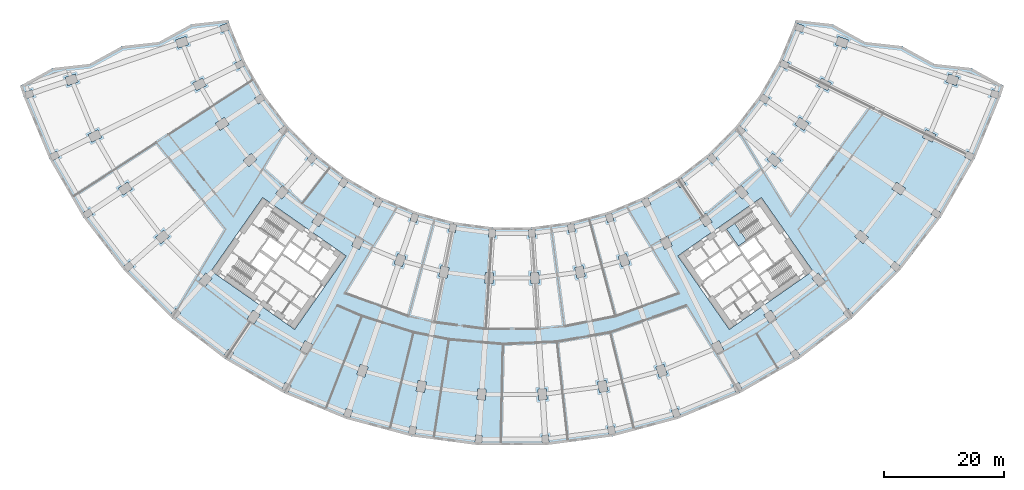
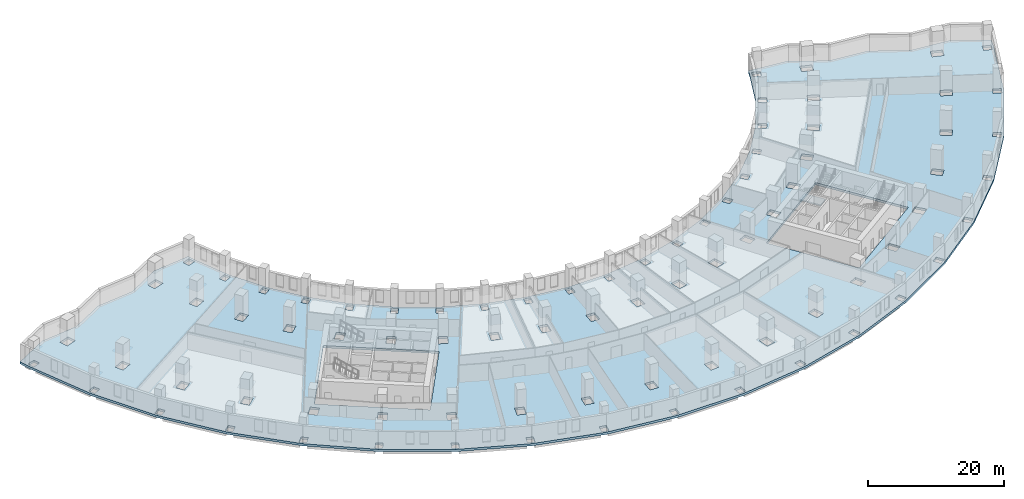
# One storey, part 4 of 20: 2 slabs, 1 element without a shape of its own.
"""IFC4 building model written with IfcOpenShell, lengths in metres."""

from ifc_helpers import new_model, si_unit, direction, frame, origin, place, context, subcontext, project, spatial, polyline, outline, extrude, material, layer, layer_set, type_object, element, aggregate, save


model = new_model("IFC4")

# Units and contexts
model_context = context("Model", 3, precision=1e-05, world=origin(), true_north=direction((0.0, 1.0)))
body_context = subcontext(model_context, "Body", "Model", "MODEL_VIEW")
ifc_project = project(units=[si_unit("LENGTHUNIT", "METRE"), si_unit("AREAUNIT", "SQUARE_METRE"), si_unit("VOLUMEUNIT", "CUBIC_METRE"), si_unit("PLANEANGLEUNIT", "RADIAN"), si_unit("MASSUNIT", "GRAM", prefix="KILO")], contexts=[model_context])

# Site, building, storey
site_placement = place(None, origin())
site = spatial("IfcSite", under=ifc_project, at=site_placement, CompositionType="ELEMENT")
building_placement = place(site_placement, origin())
building = spatial("IfcBuilding", under=site, at=building_placement, Name="Qamariyya Broadcast Tower", CompositionType="ELEMENT")
storey_placement = place(building_placement, frame((0.0, 0.0, 31.5)))
storey = spatial("IfcBuildingStorey", under=building, at=storey_placement, Name="L04", CompositionType="ELEMENT", Elevation=31.5)

# Slab
ifc_material_1 = material(Name="Concrete C40/50", Category="concrete")
ifc_layer_1 = layer(ifc_material_1, 0.39990234375)
ifc_layer_set_1 = layer_set([ifc_layer_1], Name="Post-tensioned floor slab 400 C40/50")
slab_type_1 = type_object("IfcSlabType", Name="Post-tensioned floor slab 400 C40/50", PredefinedType="FLOOR", material=ifc_layer_set_1)
slab_1_placement = place(storey_placement, frame((0.0, 0.0, -0.39990234375)))
element("IfcSlab", 1, at=slab_1_placement, inside=storey, type_object=slab_type_1, Name="Floor slab S3 L04", PredefinedType="FLOOR", context=body_context, shape_type="SweptSolid", body=[
    extrude(outline(polyline([(-76.78857421875, -23.0263671875), (-82.2353515625, -26.007568359375), (-81.672607421875, -27.72412109375), (-77.355224609375, -38.1474609375), (-71.71435546875, -47.91796875), (-64.84619140625, -56.86865234375), (-56.86865234375, -64.84619140625), (-47.91796875, -71.71435546875), (-38.1474609375, -77.355224609375), (-27.72412109375, -81.672607421875), (-16.82666015625, -84.5927734375), (-5.64111328125, -86.0654296875), (5.64111328125, -86.0654296875), (16.82666015625, -84.5927734375), (27.72412109375, -81.672607421875), (38.1474609375, -77.355224609375), (47.91796875, -71.71435546875), (56.86865234375, -64.84619140625), (64.84619140625, -56.86865234375), (71.71435546875, -47.91796875), (77.355224609375, -38.1474609375), (81.672607421875, -27.72412109375), (82.2353515625, -26.007568359375), (76.78857421875, -23.0263671875), (70.635009765625, -22.3388671875), (65.1865234375, -19.357421875), (59.03466796875, -18.670166015625), (53.583984375, -15.68798828125), (47.434326171875, -15.00146484375), (47.10986328125, -15.99169921875), (44.619384765625, -22.00390625), (41.36572265625, -27.6396484375), (37.404052734375, -32.802490234375), (32.802490234375, -37.404052734375), (27.6396484375, -41.36572265625), (22.00390625, -44.619384765625), (15.99169921875, -47.10986328125), (9.705810546875, -48.794189453125), (3.25390625, -49.6435546875), (-3.25390625, -49.6435546875), (-9.705810546875, -48.794189453125), (-15.99169921875, -47.10986328125), (-22.00390625, -44.619384765625), (-27.6396484375, -41.36572265625), (-32.802490234375, -37.404052734375), (-37.404052734375, -32.802490234375), (-41.36572265625, -27.6396484375), (-44.619384765625, -22.00390625), (-47.10986328125, -15.99169921875), (-47.434326171875, -15.00146484375), (-53.583984375, -15.68798828125), (-59.03466796875, -18.670166015625), (-65.1865234375, -19.357421875), (-70.635009765625, -22.3388671875), (-76.78857421875, -23.0263671875)]), holes=[polyline([(-27.714599609375, -79.93359375), (-26.6728515625, -80.287109375), (-27.0908203125, -81.51806640625), (-28.132568359375, -81.16455078125), (-27.714599609375, -79.93359375)]), polyline([(-37.910888671875, -75.632080078125), (-36.92431640625, -76.11865234375), (-37.499267578125, -77.28466796875), (-38.48583984375, -76.798095703125), (-37.910888671875, -75.632080078125)]), polyline([(-47.45849609375, -70.036865234375), (-46.5439453125, -70.64794921875), (-47.26611328125, -71.728759765625), (-48.180908203125, -71.11767578125), (-47.45849609375, -70.036865234375)]), polyline([(-33.362060546875, -69.234375), (-34.158203125, -70.8486328125), (-35.413818359375, -70.2294921875), (-34.61767578125, -68.614990234375), (-33.362060546875, -69.234375)]), polyline([(-42.113525390625, -64.287353515625), (-43.113525390625, -65.783935546875), (-44.277587890625, -65.006103515625), (-43.277587890625, -63.509521484375), (-42.113525390625, -64.287353515625)]), polyline([(-56.194091796875, -63.242919921875), (-55.3671875, -63.96826171875), (-56.224365234375, -64.94580078125), (-57.05126953125, -64.220458984375), (-56.194091796875, -63.242919921875)]), polyline([(-51.197021484375, -57.3173828125), (-50.14453125, -58.240478515625), (-51.331298828125, -59.59375), (-52.3837890625, -58.670654296875), (-51.197021484375, -57.3173828125)]), polyline([(-63.96826171875, -55.3671875), (-63.242919921875, -56.194091796875), (-64.220458984375, -57.05126953125), (-64.94580078125, -56.224365234375), (-63.96826171875, -55.3671875)]), polyline([(-27.719970703125, -54.447021484375), (-36.32373046875, -66.734375), (-50.286376953125, -56.95751953125), (-41.6826171875, -44.67041015625), (-27.719970703125, -54.447021484375)]), polyline([(-57.3173828125, -51.197021484375), (-58.670654296875, -52.3837890625), (-59.59375, -51.331298828125), (-58.240478515625, -50.14453125), (-57.3173828125, -51.197021484375)]), polyline([(-32.444091796875, -47.2958984375), (-31.280029296875, -48.07373046875), (-32.280029296875, -49.5703125), (-33.444091796875, -48.79248046875), (-32.444091796875, -47.2958984375)]), polyline([(-70.64794921875, -46.5439453125), (-70.036865234375, -47.45849609375), (-71.11767578125, -48.180908203125), (-71.728759765625, -47.26611328125), (-70.64794921875, -46.5439453125)]), polyline([(-38.33984375, -42.656494140625), (-37.287109375, -43.57958984375), (-38.47412109375, -44.932861328125), (-39.526611328125, -44.009765625), (-38.33984375, -42.656494140625)]), polyline([(-63.509521484375, -43.277587890625), (-65.006103515625, -44.277587890625), (-65.783935546875, -43.113525390625), (-64.287353515625, -42.113525390625), (-63.509521484375, -43.277587890625)]), polyline([(-27.376708984375, -41.962158203125), (-28.09912109375, -43.043212890625), (-29.013671875, -42.431884765625), (-28.291259765625, -41.35107421875), (-27.376708984375, -41.962158203125)]), polyline([(-43.57958984375, -37.287109375), (-42.656494140625, -38.33984375), (-44.009765625, -39.526611328125), (-44.932861328125, -38.47412109375), (-43.57958984375, -37.287109375)]), polyline([(-33.44677734375, -37.304443359375), (-32.61962890625, -38.02978515625), (-33.476806640625, -39.00732421875), (-34.303955078125, -38.281982421875), (-33.44677734375, -37.304443359375)]), polyline([(-76.11865234375, -36.92431640625), (-75.632080078125, -37.910888671875), (-76.798095703125, -38.48583984375), (-77.28466796875, -37.499267578125), (-76.11865234375, -36.92431640625)]), polyline([(-68.614990234375, -34.61767578125), (-70.2294921875, -35.413818359375), (-70.8486328125, -34.158203125), (-69.234375, -33.362060546875), (-68.614990234375, -34.61767578125)]), polyline([(-37.304443359375, -33.44677734375), (-38.281982421875, -34.303955078125), (-39.00732421875, -33.476806640625), (-38.02978515625, -32.61962890625), (-37.304443359375, -33.44677734375)]), polyline([(-48.07373046875, -31.280029296875), (-47.2958984375, -32.444091796875), (-48.79248046875, -33.444091796875), (-49.5703125, -32.280029296875), (-48.07373046875, -31.280029296875)]), polyline([(-41.962158203125, -27.376708984375), (-41.35107421875, -28.291259765625), (-42.431884765625, -29.013671875), (-43.043212890625, -28.09912109375), (-41.962158203125, -27.376708984375)]), polyline([(-80.287109375, -26.6728515625), (-79.93359375, -27.714599609375), (-81.16455078125, -28.132568359375), (-81.51806640625, -27.0908203125), (-80.287109375, -26.6728515625)]), polyline([(-51.1259765625, -25.9931640625), (-52.740478515625, -26.789306640625), (-53.359619140625, -25.533447265625), (-51.745361328125, -24.737548828125), (-51.1259765625, -25.9931640625)]), polyline([(-72.546630859375, -25.365478515625), (-74.2509765625, -25.944091796875), (-74.701171875, -24.618408203125), (-72.99658203125, -24.039794921875), (-72.546630859375, -25.365478515625)]), polyline([(-45.176513671875, -21.665283203125), (-44.690185546875, -22.65185546875), (-45.85595703125, -23.226806640625), (-46.342529296875, -22.240478515625), (-45.176513671875, -21.665283203125)]), polyline([(-54.531494140625, -17.771728515625), (-54.08154296875, -19.097412109375), (-55.785888671875, -19.676025390625), (-56.23583984375, -18.350341796875), (-54.531494140625, -17.771728515625)]), polyline([(-47.617919921875, -15.583251953125), (-47.264404296875, -16.625), (-48.495361328125, -17.042724609375), (-48.84912109375, -16.001220703125), (-47.617919921875, -15.583251953125)]), polyline([(6.08203125, -84.3828125), (6.1669921875, -85.68017578125), (5.0693359375, -85.751953125), (4.984375, -84.454833984375), (6.08203125, -84.3828125)]), polyline([(-4.984375, -84.454833984375), (-5.0693359375, -85.751953125), (-6.1669921875, -85.68017578125), (-6.08203125, -84.3828125), (-4.984375, -84.454833984375)]), polyline([(-17.044189453125, -82.8671875), (-15.965087890625, -83.081787109375), (-16.21875, -84.356689453125), (-17.297607421875, -84.14208984375), (-17.044189453125, -82.8671875)]), polyline([(15.965087890625, -83.081787109375), (17.044189453125, -82.8671875), (17.297607421875, -84.14208984375), (16.21875, -84.356689453125), (15.965087890625, -83.081787109375)]), polyline([(26.6728515625, -80.287109375), (27.714599609375, -79.93359375), (28.132568359375, -81.16455078125), (27.0908203125, -81.51806640625), (26.6728515625, -80.287109375)]), polyline([(-4.32763671875, -76.731201171875), (-4.445556640625, -78.52734375), (-5.842529296875, -78.435791015625), (-5.724853515625, -76.6396484375), (-4.32763671875, -76.731201171875)]), polyline([(5.724853515625, -76.6396484375), (5.842529296875, -78.435791015625), (4.445556640625, -78.52734375), (4.32763671875, -76.731201171875), (5.724853515625, -76.6396484375)]), polyline([(-15.67919921875, -75.23681640625), (-14.30615234375, -75.510009765625), (-14.6572265625, -77.275390625), (-16.030517578125, -77.002197265625), (-15.67919921875, -75.23681640625)]), polyline([(15.67919921875, -75.23681640625), (16.030517578125, -77.002197265625), (14.6572265625, -77.275390625), (14.30615234375, -75.510009765625), (15.67919921875, -75.23681640625)]), polyline([(-24.039794921875, -72.99658203125), (-24.618408203125, -74.701171875), (-25.944091796875, -74.2509765625), (-25.365478515625, -72.546630859375), (-24.039794921875, -72.99658203125)]), polyline([(24.039794921875, -72.99658203125), (25.365478515625, -72.546630859375), (25.944091796875, -74.2509765625), (24.618408203125, -74.701171875), (24.039794921875, -72.99658203125)]), polyline([(4.449462890625, -57.181396484375), (4.567138671875, -58.9775390625), (3.170166015625, -59.069091796875), (3.05224609375, -57.27294921875), (4.449462890625, -57.181396484375)]), polyline([(-3.05224609375, -57.27294921875), (-3.170166015625, -59.069091796875), (-4.567138671875, -58.9775390625), (-4.449462890625, -57.181396484375), (-3.05224609375, -57.27294921875)]), polyline([(10.501953125, -56.384521484375), (11.875, -56.111572265625), (12.22607421875, -57.876953125), (10.85302734375, -58.14990234375), (10.501953125, -56.384521484375)]), polyline([(-11.875, -56.111572265625), (-10.501953125, -56.384521484375), (-10.85302734375, -58.14990234375), (-12.22607421875, -57.876953125), (-11.875, -56.111572265625)]), polyline([(17.771728515625, -54.531494140625), (19.097412109375, -54.08154296875), (19.676025390625, -55.785888671875), (18.350341796875, -56.23583984375), (17.771728515625, -54.531494140625)]), polyline([(-17.771728515625, -54.531494140625), (-18.350341796875, -56.23583984375), (-19.676025390625, -55.785888671875), (-19.097412109375, -54.08154296875), (-17.771728515625, -54.531494140625)]), polyline([(-24.737548828125, -51.745361328125), (-25.533447265625, -53.359619140625), (-26.789306640625, -52.740478515625), (-25.9931640625, -51.1259765625), (-24.737548828125, -51.745361328125)]), polyline([(24.737548828125, -51.745361328125), (25.9931640625, -51.1259765625), (26.789306640625, -52.740478515625), (25.533447265625, -53.359619140625), (24.737548828125, -51.745361328125)]), polyline([(-3.825439453125, -49.956787109375), (-2.727783203125, -50.02880859375), (-2.81298828125, -51.325927734375), (-3.91064453125, -51.25390625), (-3.825439453125, -49.956787109375)]), polyline([(2.727783203125, -50.02880859375), (3.825439453125, -49.956787109375), (3.91064453125, -51.25390625), (2.81298828125, -51.325927734375), (2.727783203125, -50.02880859375)]), polyline([(-9.234619140625, -49.24462890625), (-9.48828125, -50.519775390625), (-10.567138671875, -50.30517578125), (-10.3134765625, -49.030029296875), (-9.234619140625, -49.24462890625)]), polyline([(10.3134765625, -49.030029296875), (10.567138671875, -50.30517578125), (9.48828125, -50.519775390625), (9.234619140625, -49.24462890625), (10.3134765625, -49.030029296875)]), polyline([(15.583251953125, -47.617919921875), (16.625, -47.264404296875), (17.042724609375, -48.495361328125), (16.001220703125, -48.84912109375), (15.583251953125, -47.617919921875)]), polyline([(-16.625, -47.264404296875), (-15.583251953125, -47.617919921875), (-16.001220703125, -48.84912109375), (-17.042724609375, -48.495361328125), (-16.625, -47.264404296875)]), polyline([(21.665283203125, -45.176513671875), (22.65185546875, -44.690185546875), (23.226806640625, -45.85595703125), (22.240478515625, -46.342529296875), (21.665283203125, -45.176513671875)]), polyline([(-21.665283203125, -45.176513671875), (-22.240478515625, -46.342529296875), (-23.226806640625, -45.85595703125), (-22.65185546875, -44.690185546875), (-21.665283203125, -45.176513671875)]), polyline([(28.291259765625, -41.35107421875), (29.013671875, -42.431884765625), (28.09912109375, -43.043212890625), (27.376708984375, -41.962158203125), (28.291259765625, -41.35107421875)]), polyline([(36.92431640625, -76.11865234375), (37.910888671875, -75.632080078125), (38.48583984375, -76.798095703125), (37.499267578125, -77.28466796875), (36.92431640625, -76.11865234375)]), polyline([(46.5439453125, -70.64794921875), (47.45849609375, -70.036865234375), (48.180908203125, -71.11767578125), (47.26611328125, -71.728759765625), (46.5439453125, -70.64794921875)]), polyline([(33.362060546875, -69.234375), (34.61767578125, -68.614990234375), (35.413818359375, -70.2294921875), (34.158203125, -70.8486328125), (33.362060546875, -69.234375)]), polyline([(43.277587890625, -63.509521484375), (44.277587890625, -65.006103515625), (43.113525390625, -65.783935546875), (42.113525390625, -64.287353515625), (43.277587890625, -63.509521484375)]), polyline([(56.194091796875, -63.242919921875), (57.05126953125, -64.220458984375), (56.224365234375, -64.94580078125), (55.3671875, -63.96826171875), (56.194091796875, -63.242919921875)]), polyline([(50.14453125, -58.240478515625), (51.197021484375, -57.3173828125), (52.3837890625, -58.670654296875), (51.331298828125, -59.59375), (50.14453125, -58.240478515625)]), polyline([(63.242919921875, -56.194091796875), (63.96826171875, -55.3671875), (64.94580078125, -56.224365234375), (64.220458984375, -57.05126953125), (63.242919921875, -56.194091796875)]), polyline([(27.719970703125, -54.447021484375), (41.6826171875, -44.67041015625), (50.286376953125, -56.95751953125), (36.32373046875, -66.734375), (27.719970703125, -54.447021484375)]), polyline([(58.240478515625, -50.14453125), (59.59375, -51.331298828125), (58.670654296875, -52.3837890625), (57.3173828125, -51.197021484375), (58.240478515625, -50.14453125)]), polyline([(32.444091796875, -47.2958984375), (33.444091796875, -48.79248046875), (32.280029296875, -49.5703125), (31.280029296875, -48.07373046875), (32.444091796875, -47.2958984375)]), polyline([(70.036865234375, -47.45849609375), (70.64794921875, -46.5439453125), (71.728759765625, -47.26611328125), (71.11767578125, -48.180908203125), (70.036865234375, -47.45849609375)]), polyline([(37.287109375, -43.57958984375), (38.33984375, -42.656494140625), (39.526611328125, -44.009765625), (38.47412109375, -44.932861328125), (37.287109375, -43.57958984375)]), polyline([(63.509521484375, -43.277587890625), (64.287353515625, -42.113525390625), (65.783935546875, -43.113525390625), (65.006103515625, -44.277587890625), (63.509521484375, -43.277587890625)]), polyline([(43.57958984375, -37.287109375), (44.932861328125, -38.47412109375), (44.009765625, -39.526611328125), (42.656494140625, -38.33984375), (43.57958984375, -37.287109375)]), polyline([(33.44677734375, -37.304443359375), (34.303955078125, -38.281982421875), (33.476806640625, -39.00732421875), (32.61962890625, -38.02978515625), (33.44677734375, -37.304443359375)]), polyline([(75.632080078125, -37.910888671875), (76.11865234375, -36.92431640625), (77.28466796875, -37.499267578125), (76.798095703125, -38.48583984375), (75.632080078125, -37.910888671875)]), polyline([(68.614990234375, -34.61767578125), (69.234375, -33.362060546875), (70.8486328125, -34.158203125), (70.2294921875, -35.413818359375), (68.614990234375, -34.61767578125)]), polyline([(37.304443359375, -33.44677734375), (38.02978515625, -32.61962890625), (39.00732421875, -33.476806640625), (38.281982421875, -34.303955078125), (37.304443359375, -33.44677734375)]), polyline([(48.07373046875, -31.280029296875), (49.5703125, -32.280029296875), (48.79248046875, -33.444091796875), (47.2958984375, -32.444091796875), (48.07373046875, -31.280029296875)]), polyline([(41.962158203125, -27.376708984375), (43.043212890625, -28.09912109375), (42.431884765625, -29.013671875), (41.35107421875, -28.291259765625), (41.962158203125, -27.376708984375)]), polyline([(79.93359375, -27.714599609375), (80.287109375, -26.6728515625), (81.51806640625, -27.0908203125), (81.16455078125, -28.132568359375), (79.93359375, -27.714599609375)]), polyline([(51.745361328125, -24.737548828125), (53.359619140625, -25.533447265625), (52.740478515625, -26.789306640625), (51.1259765625, -25.9931640625), (51.745361328125, -24.737548828125)]), polyline([(72.99658203125, -24.039794921875), (74.701171875, -24.618408203125), (74.2509765625, -25.944091796875), (72.546630859375, -25.365478515625), (72.99658203125, -24.039794921875)]), polyline([(44.690185546875, -22.65185546875), (45.176513671875, -21.665283203125), (46.342529296875, -22.240478515625), (45.85595703125, -23.226806640625), (44.690185546875, -22.65185546875)]), polyline([(54.531494140625, -17.771728515625), (56.23583984375, -18.350341796875), (55.785888671875, -19.676025390625), (54.08154296875, -19.097412109375), (54.531494140625, -17.771728515625)]), polyline([(47.617919921875, -15.583251953125), (48.84912109375, -16.001220703125), (48.495361328125, -17.042724609375), (47.264404296875, -16.625), (47.617919921875, -15.583251953125)])]), origin(), (0.0, 0.0, 1.0), 0.39990234375),
])

# Stair, slab
ifc_material_2 = material(Name="Concrete C50/60", Category="concrete")
stair_type = type_object("IfcStairType", Name="Exit stair 26 risers of 173 mm", PredefinedType="HALF_TURN_STAIR", material=ifc_material_2)
stair_placement = place(storey_placement, origin())
stair = element("IfcStair", 2, at=stair_placement, inside=storey, type_object=stair_type, Name="L04 Stair E2", PredefinedType="HALF_TURN_STAIR")
ifc_layer_2 = layer(ifc_material_2, 0.199951171875)
ifc_layer_set_2 = layer_set([ifc_layer_2], Name="Stair landing")
slab_type_2 = type_object("IfcSlabType", Name="Stair landing", PredefinedType="LANDING", material=ifc_layer_set_2)
slab_2_placement = place(storey_placement, frame((0.0, 0.0, 2.050048828125)))
slab_2 = element("IfcSlab", 3, at=slab_2_placement, type_object=slab_type_2, Name="ST-E2 landing 1", PredefinedType="LANDING", context=body_context, shape_type="SweptSolid", body=[
    extrude(outline(polyline([(37.23828125, -49.003173828125), (35.870849609375, -49.960693359375), (37.849609375, -52.78662109375), (39.217041015625, -51.829345703125), (37.23828125, -49.003173828125)])), origin(), (0.0, 0.0, 1.0), 0.199951171875),
])
aggregate(stair, [slab_2])

save(model, "model.ifc")
